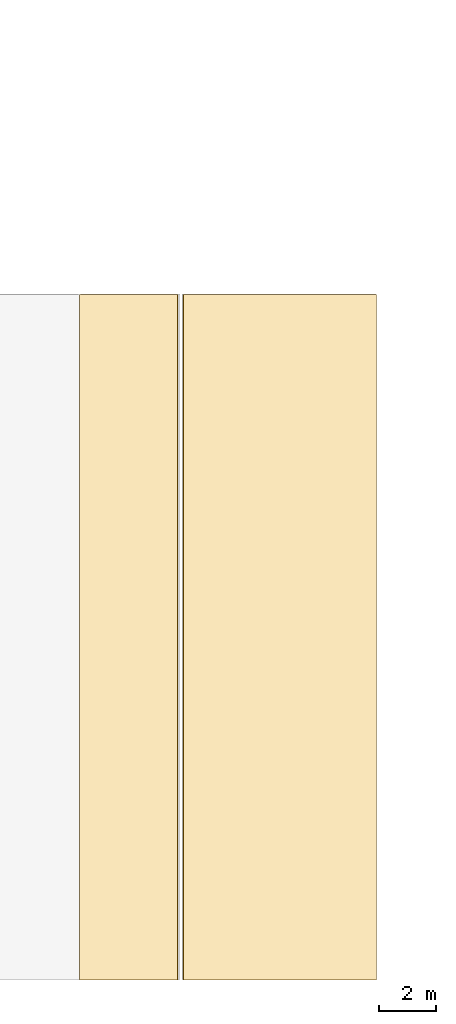
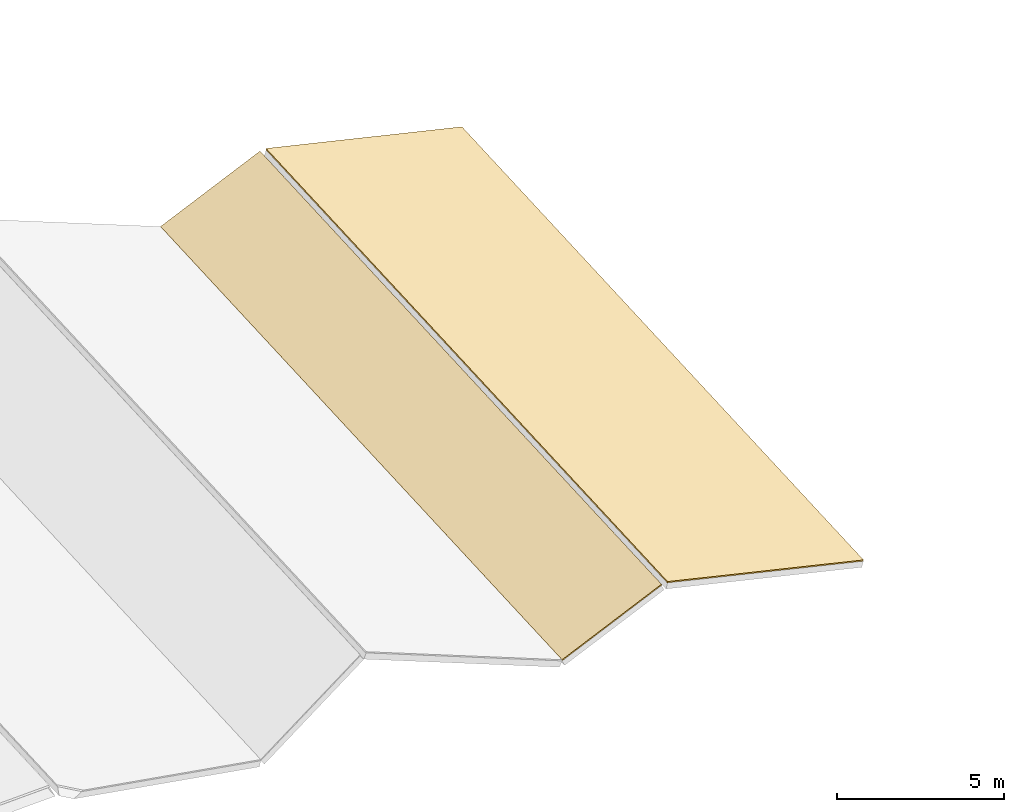
# One storey, part 46 of 74: 2 coverings.
"""IFC4 building model written with IfcOpenShell, lengths in metres."""

from ifc_helpers import new_model, si_unit, direction, frame, origin, place, context, subcontext, project, spatial, polyline, outline, extrude, material, layer, layer_set, type_object, element, save


model = new_model("IFC4")

# Units and contexts
model_context = context("Model", 3, precision=1e-05, world=origin(), true_north=direction((0.0, 1.0)))
body_context = subcontext(model_context, "Body", "Model", "MODEL_VIEW")
ifc_project = project(units=[si_unit("LENGTHUNIT", "METRE"), si_unit("AREAUNIT", "SQUARE_METRE"), si_unit("VOLUMEUNIT", "CUBIC_METRE"), si_unit("PLANEANGLEUNIT", "RADIAN"), si_unit("MASSUNIT", "GRAM", prefix="KILO")], contexts=[model_context])

# Site, building, storey
site_placement = place(None, origin())
site = spatial("IfcSite", under=ifc_project, at=site_placement, CompositionType="ELEMENT")
building_placement = place(site_placement, origin())
building = spatial("IfcBuilding", under=site, at=building_placement, Name="Kestramere Prow Commons", CompositionType="ELEMENT")
storey_placement = place(building_placement, frame((0.0, 0.0, 11.64990234375)))
storey = spatial("IfcBuildingStorey", under=building, at=storey_placement, Name="L03", CompositionType="ELEMENT", Elevation=11.64990234375)

# Coverings
ifc_material = material(Name="Fluoropolymer Standing-Seam Zinc-Aluminium Roofing", Category="aluminium")
ifc_layer = layer(ifc_material, 0.044921875)
ifc_layer_set = layer_set([ifc_layer], Name="Fluoropolymer Standing-Seam Zinc-Aluminium Roofing")
covering_type = type_object("IfcCoveringType", Name="COV-ROOF-SEAM", PredefinedType="ROOFING", material=ifc_layer_set)
covering_1_placement = place(storey_placement, frame((101.60009765625, 0.0, 0.545166015625), z_axis=(-0.411795498575, -0.047398062306, 0.91004279627), x_axis=(0.9110667622, 0.0, 0.412258844434)))
element("IfcCovering", 1, at=covering_1_placement, inside=storey, type_object=covering_type, Name="Market Folded-Plate Roofing SL-MK-ROOF-4-L", PredefinedType="ROOFING", context=body_context, shape_type="SweptSolid", body=[
    extrude(outline(polyline([(0.0, 0.0), (3.7658142580456833, 0.0), (4.281137813588185, 24.027004424877916), (0.5153235555425019, 24.02700442487792), (0.0, 0.0)])), origin(), (0.0, 0.0, -1.0), 0.044921875),
])
covering_2_placement = place(storey_placement, frame((105.240966796875, 0.0, 2.12060546875), z_axis=(0.226710177304, -0.050658537846, 0.97264392665), x_axis=(0.973894375879, 0.0, -0.22700164015)))
element("IfcCovering", 2, at=covering_2_placement, inside=storey, type_object=covering_type, Name="Market Folded-Plate Roofing SL-MK-ROOF-4-R", PredefinedType="ROOFING", context=body_context, shape_type="SweptSolid", body=[
    extrude(outline(polyline([(0.0, 0.0), (6.940211762720861, 0.0), (6.656459712533533, 24.0308548490064), (-0.2837520501873274, 24.030854849006403), (0.0, 0.0)])), origin(), (0.0, 0.0, -1.0), 0.044921875),
])

save(model, "model.ifc")
